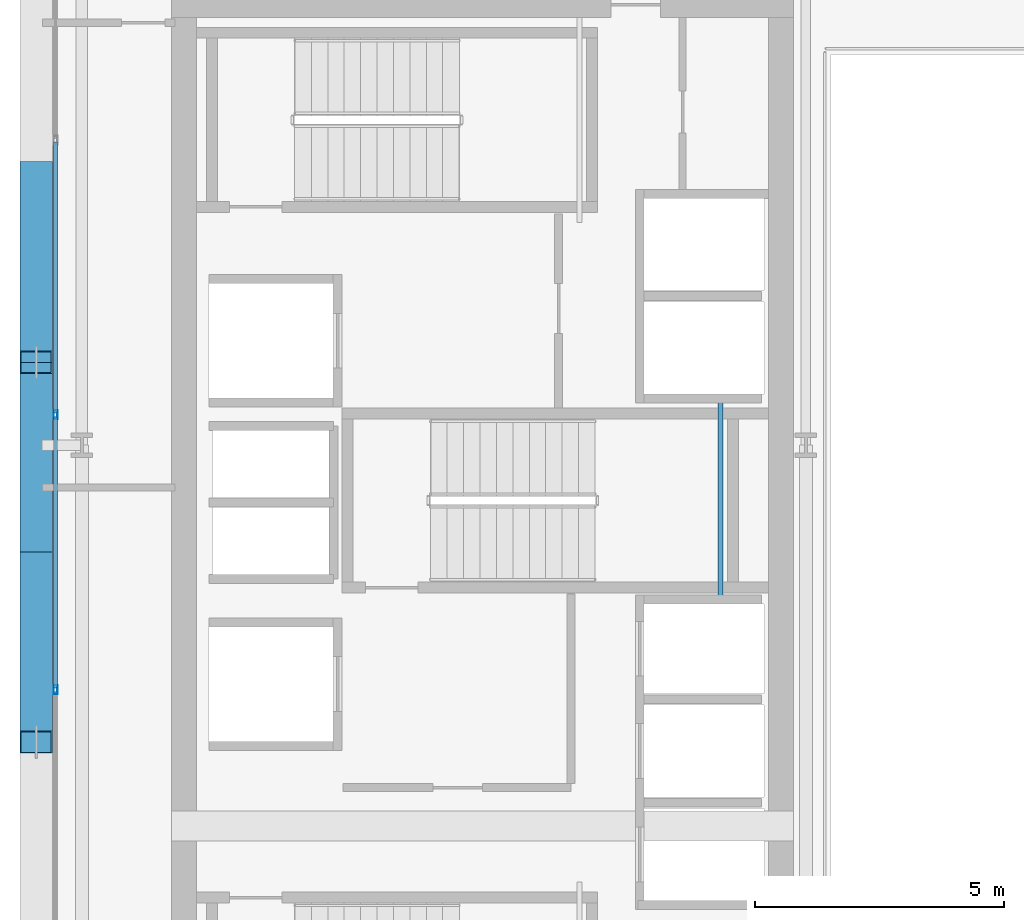
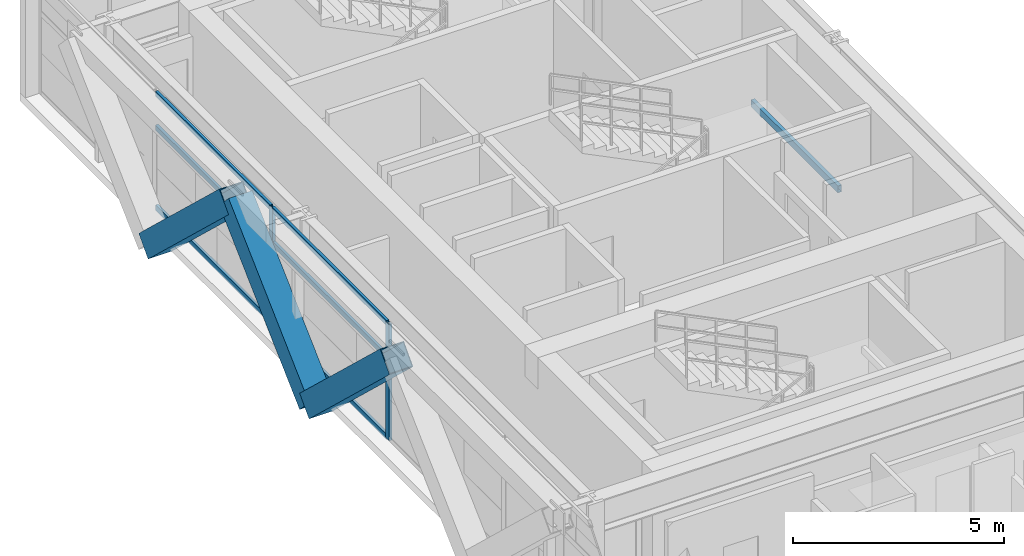
# One storey, part 7 of 32: 11 members, 1 beam, 1 element without a shape of its own.
"""IFC4 building model written with IfcOpenShell, lengths in metres."""

from ifc_helpers import new_model, si_unit, direction, frame, origin, origin_2d, place, context, subcontext, project, spatial, hollow_rectangle, extrude, source, transform, mapped, material, layer, layer_set, material_profile, profile_set, type_object, element, aggregate, save


model = new_model("IFC4")

# Units and contexts
model_context = context("Model", 3, precision=1e-05, world=origin(), true_north=direction((0.0, 1.0)))
body_context = subcontext(model_context, "Body", "Model", "MODEL_VIEW")
ifc_project = project(units=[si_unit("LENGTHUNIT", "METRE"), si_unit("AREAUNIT", "SQUARE_METRE"), si_unit("VOLUMEUNIT", "CUBIC_METRE"), si_unit("PLANEANGLEUNIT", "RADIAN"), si_unit("MASSUNIT", "GRAM", prefix="KILO")], contexts=[model_context])

# Site, building, storey
site_placement = place(None, origin())
site = spatial("IfcSite", under=ifc_project, at=site_placement, CompositionType="ELEMENT")
building_placement = place(site_placement, origin())
building = spatial("IfcBuilding", under=site, at=building_placement, Name="Ocotamira Hotel", CompositionType="ELEMENT")
storey_placement = place(building_placement, frame((0.0, 0.0, 206.39990234375)))
storey = spatial("IfcBuildingStorey", under=building, at=storey_placement, Name="L52", CompositionType="ELEMENT", Elevation=206.39990234375)

# Beam
ifc_material_1 = material(Name="Steel ASTM A500 Grade C", Category="steel")
ifc_material_profile_1 = material_profile(ifc_material_1, hollow_rectangle(XDim=0.10009765625, YDim=0.199951171875, WallThickness=0.008056640625, at=origin_2d()), Name="HSS200X100X8")
ifc_profile_set_1 = profile_set([ifc_material_profile_1], Name="Steel ASTM A500 Grade C")
beam_type = type_object("IfcBeamType", Name="BM-STLDG-HSS200", PredefinedType="BEAM", material=ifc_profile_set_1)
shared_shape_1 = source(origin(), body_context, "Body", "SweptSolid", [
    extrude(hollow_rectangle(XDim=0.10009765625, YDim=0.199951171875, WallThickness=0.008056640625, at=origin_2d()), origin(), (0.0, 0.0, 1.0), 4.1201171875),
])
beam_placement = place(storey_placement, frame((21.780029296875, 24.97998046875, 1.5), z_axis=(0.0, 1.0, 0.0), x_axis=(-1.0, 0.0, 0.0)))
element("IfcBeam", 1, at=beam_placement, inside=storey, type_object=beam_type, Name="L52 Stair ST-3 Landing Bearer 1", PredefinedType="BEAM", context=body_context, shape_type="MappedRepresentation", body=[
    mapped(shared_shape_1, transform((0.0, 0.0, 0.0), scale=1.0)),
])

# Members
ifc_material_2 = material(Name="Pale-metal coated steel ASTM A913 Grade 65", Category="steel")
ifc_material_profile_2 = material_profile(ifc_material_2, hollow_rectangle(XDim=0.64990234375, YDim=0.64990234375, WallThickness=0.02197265625, at=origin_2d()), Name="BOX650X650X22")
ifc_profile_set_2 = profile_set([ifc_material_profile_2], Name="Pale-metal coated steel ASTM A913 Grade 65")
member_type_1 = type_object("IfcMemberType", Name="MEM-EXO-BOX650", PredefinedType="BRACE", material=ifc_profile_set_2)
shared_shape_2 = source(origin(), body_context, "Body", "SweptSolid", [
    extrude(hollow_rectangle(XDim=0.64990234375, YDim=0.64990234375, WallThickness=0.02197265625, at=origin_2d()), origin(), (0.0, 0.0, 1.0), 5.24658203125),
])
for number, where, z_axis, x_axis, name in (
    (2, (8.030029296875, 26.0, -0.47998046875), (0.0, -0.727442733726, 0.686168397078), (1.0, 0.0, 0.0), "L52 Exoskeleton Diagrid W1.1"),
    (3, (8.030029296875, 26.0, -0.47998046875), (0.0, 0.727442733726, 0.686168397078), (-1.0, 0.0, 0.0), "L52 Exoskeleton Diagrid W1.2"),
    (4, (8.030029296875, 33.63330078125, -0.47998046875), (0.0, -0.727442733726, 0.686168397078), (1.0, 0.0, 0.0), "L52 Exoskeleton Diagrid W2.1"),
):
    element("IfcMember", number, at=place(storey_placement, frame(where, z_axis=z_axis, x_axis=x_axis)), inside=storey, type_object=member_type_1, Name=name, PredefinedType="BRACE", context=body_context, shape_type="MappedRepresentation", body=[
        mapped(shared_shape_2, transform((0.0, 0.0, 0.0), scale=1.0)),
    ])

# Curtain wall, members
ifc_material_3 = material(Name="Anodised pale-metal aluminium and solar glass", Category="aluminium")
ifc_layer = layer(ifc_material_3, 0.199951171875)
ifc_layer_set = layer_set([ifc_layer], Name="Anodised pale-metal aluminium and solar glass")
curtain_wall_type = type_object("IfcCurtainWallType", Name="CW-SYS4-Z3", PredefinedType="NOTDEFINED", material=ifc_layer_set)
curtain_wall_placement = place(storey_placement, origin())
curtain_wall = element("IfcCurtainWall", 5, at=curtain_wall_placement, inside=storey, type_object=curtain_wall_type, Name="L52 Curtain Wall CW-4 CW-L52-W", PredefinedType="NOTDEFINED")
ifc_material_4 = material(Name="Anodised pale-metal aluminium 6063-T6", Category="aluminium")
ifc_material_profile_3 = material_profile(ifc_material_4, hollow_rectangle(XDim=0.080078125, YDim=0.179931640625, WallThickness=0.006103515625, at=origin_2d()), Name="HSS180X80X6")
ifc_profile_set_3 = profile_set([ifc_material_profile_3], Name="Anodised pale-metal aluminium 6063-T6")
member_type_2 = type_object("IfcMemberType", Name="CWM-180X75", PredefinedType="MULLION", material=ifc_profile_set_3)
shared_shape_3 = source(origin(), body_context, "Body", "SweptSolid", [
    extrude(hollow_rectangle(XDim=0.080078125, YDim=0.179931640625, WallThickness=0.006103515625, at=origin_2d()), origin(), (0.0, 0.0, 1.0), 3.3701171875),
])
member_1_placement = place(storey_placement, frame((8.419921875, 23.239990234375, 0.0), z_axis=(0.0, 0.0, 1.0), x_axis=(-1.0, 0.0, 0.0)))
member_1 = element("IfcMember", 6, at=member_1_placement, type_object=member_type_2, Name="CW-4 mullion 3", PredefinedType="MULLION", context=body_context, shape_type="MappedRepresentation", body=[
    mapped(shared_shape_3, transform((0.0, 0.0, 0.0), scale=1.0)),
])
member_2_placement = place(storey_placement, frame((8.419921875, 28.760009765625, 0.0), z_axis=(0.0, 0.0, 1.0), x_axis=(-1.0, 0.0, 0.0)))
member_2 = element("IfcMember", 7, at=member_2_placement, type_object=member_type_2, Name="CW-4 mullion 4", PredefinedType="MULLION", context=body_context, shape_type="MappedRepresentation", body=[
    mapped(shared_shape_3, transform((0.0, 0.0, 0.0), scale=1.0)),
])
ifc_material_profile_4 = material_profile(ifc_material_4, hollow_rectangle(XDim=0.074951171875, YDim=0.14990234375, WallThickness=0.006103515625, at=origin_2d()), Name="HSS150X75X6")
ifc_profile_set_4 = profile_set([ifc_material_profile_4], Name="Anodised pale-metal aluminium 6063-T6")
member_type_3 = type_object("IfcMemberType", Name="CWT-150X75", PredefinedType="USERDEFINED", material=ifc_profile_set_4)
shared_shape_4 = source(origin(), body_context, "Body", "SweptSolid", [
    extrude(hollow_rectangle(XDim=0.074951171875, YDim=0.14990234375, WallThickness=0.006103515625, at=origin_2d()), origin(), (0.0, 0.0, 1.0), 5.43994140625),
])
member_3_placement = place(storey_placement, frame((8.419921875, 23.280029296875, 0.03759765625), z_axis=(0.0, 1.0, 0.0), x_axis=(-1.0, 0.0, 0.0)))
member_3 = element("IfcMember", 8, at=member_3_placement, type_object=member_type_3, Name="CW-4 transom 3.1", ObjectType="TRANSOM", PredefinedType="USERDEFINED", context=body_context, shape_type="MappedRepresentation", body=[
    mapped(shared_shape_4, transform((0.0, 0.0, 0.0), scale=1.0)),
])
member_4_placement = place(storey_placement, frame((8.419921875, 23.280029296875, 2.35009765625), z_axis=(0.0, 1.0, 0.0), x_axis=(-1.0, 0.0, 0.0)))
member_4 = element("IfcMember", 9, at=member_4_placement, type_object=member_type_3, Name="CW-4 transom 3.2", ObjectType="TRANSOM", PredefinedType="USERDEFINED", context=body_context, shape_type="MappedRepresentation", body=[
    mapped(shared_shape_4, transform((0.0, 0.0, 0.0), scale=1.0)),
])
member_5_placement = place(storey_placement, frame((8.419921875, 23.280029296875, 3.33251953125), z_axis=(0.0, 1.0, 0.0), x_axis=(-1.0, 0.0, 0.0)))
member_5 = element("IfcMember", 10, at=member_5_placement, type_object=member_type_3, Name="CW-4 transom 3.3", ObjectType="TRANSOM", PredefinedType="USERDEFINED", context=body_context, shape_type="MappedRepresentation", body=[
    mapped(shared_shape_4, transform((0.0, 0.0, 0.0), scale=1.0)),
])
member_6_placement = place(storey_placement, frame((8.419921875, 28.800048828125, 0.03759765625), z_axis=(0.0, 1.0, 0.0), x_axis=(-1.0, 0.0, 0.0)))
member_6 = element("IfcMember", 11, at=member_6_placement, type_object=member_type_3, Name="CW-4 transom 4.1", ObjectType="TRANSOM", PredefinedType="USERDEFINED", context=body_context, shape_type="MappedRepresentation", body=[
    mapped(shared_shape_4, transform((0.0, 0.0, 0.0), scale=1.0)),
])
member_7_placement = place(storey_placement, frame((8.419921875, 28.800048828125, 2.35009765625), z_axis=(0.0, 1.0, 0.0), x_axis=(-1.0, 0.0, 0.0)))
member_7 = element("IfcMember", 12, at=member_7_placement, type_object=member_type_3, Name="CW-4 transom 4.2", ObjectType="TRANSOM", PredefinedType="USERDEFINED", context=body_context, shape_type="MappedRepresentation", body=[
    mapped(shared_shape_4, transform((0.0, 0.0, 0.0), scale=1.0)),
])
member_8_placement = place(storey_placement, frame((8.419921875, 28.800048828125, 3.33251953125), z_axis=(0.0, 1.0, 0.0), x_axis=(-1.0, 0.0, 0.0)))
member_8 = element("IfcMember", 13, at=member_8_placement, type_object=member_type_3, Name="CW-4 transom 4.3", ObjectType="TRANSOM", PredefinedType="USERDEFINED", context=body_context, shape_type="MappedRepresentation", body=[
    mapped(shared_shape_4, transform((0.0, 0.0, 0.0), scale=1.0)),
])
aggregate(curtain_wall, [member_1, member_2, member_3, member_4, member_5, member_6, member_7, member_8])

save(model, "model.ifc")
